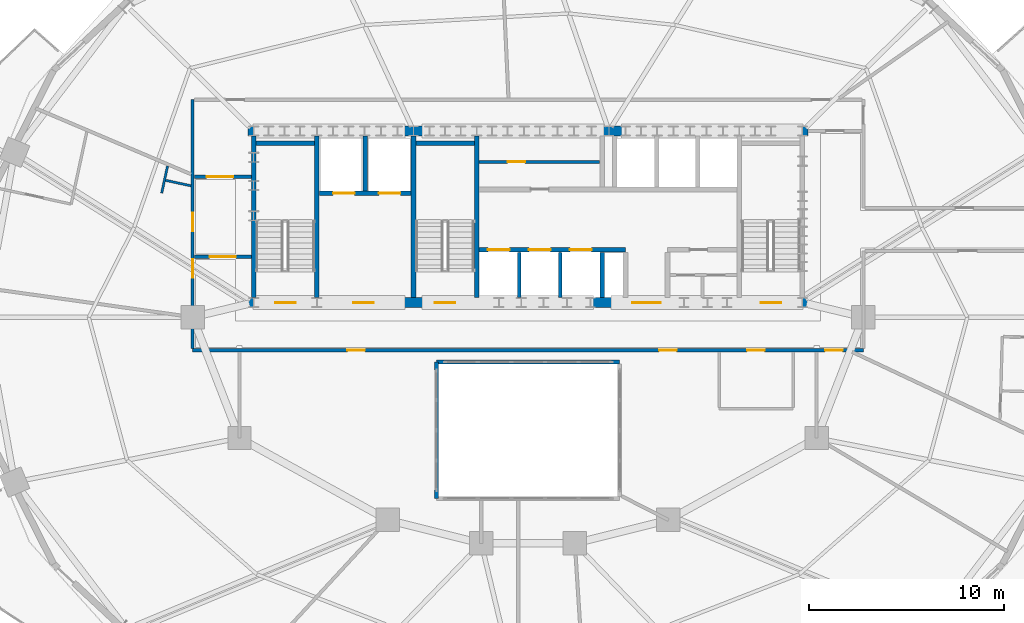
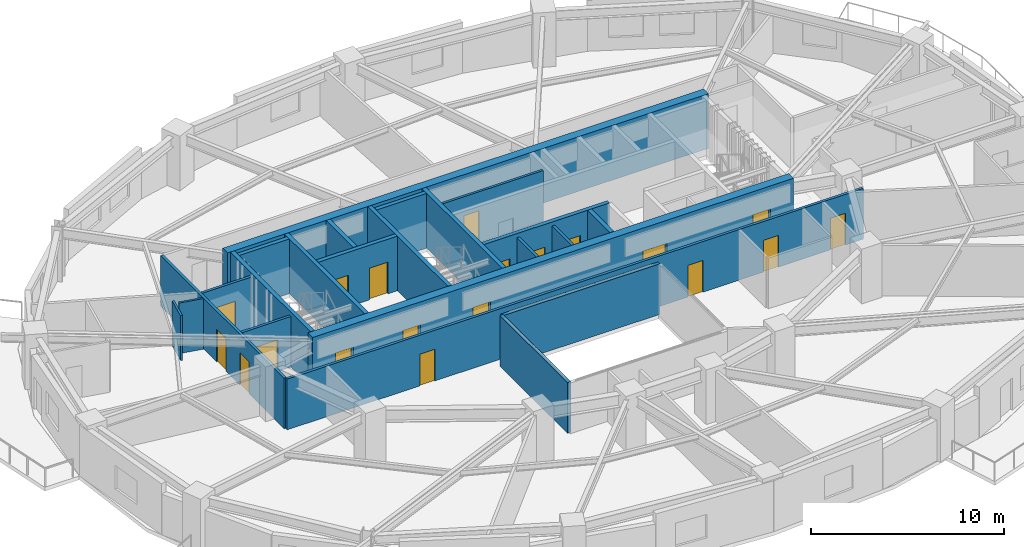
# One storey, part 7 of 13: 23 walls, 19 doors, 19 openings.
"""IFC4 building model written with IfcOpenShell, lengths in metres."""

import ifcopenshell
import ifcopenshell.guid

model = None  # the IFC model being written
_history = None  # IfcOwnerHistory: only IFC2X3 demands one
_inside = {}  # id of a spatial element -> (the spatial element, [elements in it])
_under = {}  # id of a project, library or spatial element -> (it, [spatial elements below it])
_declared = {}  # id of a project -> (the project, [libraries it declares])
_typed = {}  # id of a type object -> (the type object, [elements of that type])
_made_of = {}  # id of a material, layer set ... -> (it, [elements and type objects made of it])


def new_model(schema):
    """Start an empty IFC model of exactly this schema.

    Asked for "IFC4X3", IfcOpenShell would pick the latest addendum, in which some entities
    have other attributes; the version numbers below select the first issue.
    IFC2X3 requires an IfcOwnerHistory on every rooted entity: one is made here for all.
    """
    global model, _history
    if schema == "IFC4X3":
        model = ifcopenshell.file(schema_version=(4, 3, 0, 0))
    else:
        model = ifcopenshell.file(schema=schema)
    _inside.clear()
    _under.clear()
    _declared.clear()
    _typed.clear()
    _made_of.clear()
    _history = None
    if model.schema == "IFC2X3":
        org = make("IfcOrganization", Name="unknown")
        user = make(
            "IfcPersonAndOrganization",
            ThePerson=make("IfcPerson", FamilyName="unknown"),
            TheOrganization=org,
        )
        app = make(
            "IfcApplication",
            ApplicationDeveloper=org,
            Version="unknown",
            ApplicationFullName="unknown",
            ApplicationIdentifier="unknown",
        )
        _history = make(
            "IfcOwnerHistory",
            OwningUser=user,
            OwningApplication=app,
            ChangeAction="ADDED",
            CreationDate=0,
        )
    return model


def make(cls, **values):
    """One entity of the class cls with the attributes given. An attribute that is None is left unset."""
    return model.create_entity(
        cls, **{name: value for name, value in values.items() if value is not None}
    )


def rooted(cls, **values):
    """An entity with a GlobalId (a new one), such as an element, a storey or a relation."""
    return make(cls, GlobalId=ifcopenshell.guid.new(), OwnerHistory=_history, **values)


def si_unit(unit_type, name, prefix=None):
    """IfcSIUnit, for example si_unit("LENGTHUNIT", "METRE", prefix="MILLI")."""
    return make("IfcSIUnit", UnitType=unit_type, Prefix=prefix, Name=name)


def assignment(units):
    """IfcUnitAssignment: the units of a project."""
    return None if units is None else make("IfcUnitAssignment", Units=units)


def point(xyz):
    """IfcCartesianPoint."""
    return None if xyz is None else make("IfcCartesianPoint", Coordinates=xyz)


def direction(xyz):
    """IfcDirection."""
    return None if xyz is None else make("IfcDirection", DirectionRatios=xyz)


def frame(location, z_axis=None, x_axis=None):
    """IfcAxis2Placement3D, a coordinate frame: its origin and axes. An axis left out is left unset."""
    return make(
        "IfcAxis2Placement3D",
        Location=point(location),
        Axis=direction(z_axis),
        RefDirection=direction(x_axis),
    )


def frame_2d(location, x_axis=None):
    """IfcAxis2Placement2D, a coordinate frame in the plane: its origin and x axis."""
    return make(
        "IfcAxis2Placement2D", Location=point(location), RefDirection=direction(x_axis)
    )


def origin():
    """The frame at (0, 0, 0) with its axes left unset."""
    return frame((0.0, 0.0, 0.0))


def place(relative_to, where):
    """IfcLocalPlacement: puts the frame where relative to a parent placement (None: the world)."""
    return make(
        "IfcLocalPlacement", PlacementRelTo=relative_to, RelativePlacement=where
    )


def context(
    kind, dimensions, precision=None, world=None, true_north=None, identifier=None
):
    """IfcGeometricRepresentationContext, for example the 3D "Model" context."""
    return make(
        "IfcGeometricRepresentationContext",
        ContextIdentifier=identifier,
        ContextType=kind,
        CoordinateSpaceDimension=dimensions,
        Precision=precision,
        WorldCoordinateSystem=world,
        TrueNorth=true_north,
    )


def subcontext(parent, identifier, kind, view, scale=None):
    """IfcGeometricRepresentationSubContext, for example "Body" below "Model"."""
    return make(
        "IfcGeometricRepresentationSubContext",
        ContextIdentifier=identifier,
        ContextType=kind,
        ParentContext=parent,
        TargetScale=scale,
        TargetView=view,
    )


def project(units=None, contexts=None):
    """IfcProject with its units and contexts."""
    return rooted(
        "IfcProject",
        Name="project",
        RepresentationContexts=contexts,
        UnitsInContext=assignment(units),
    )


def spatial(cls, under=None, at=None, **own):
    """A site, building, storey or space (cls), placed at a placement, below another one or the project."""
    s = rooted(cls, ObjectPlacement=at, **own)
    if under is not None:
        _under.setdefault(under.id(), (under, []))[1].append(s)
    return s


def profile(cls, at=None, kind="AREA", **sizes):
    """A parametric profile (cls). Its sizes go by their IFC names, for example OverallWidth=200.0."""
    return make(cls, ProfileType=kind, Position=at, **sizes)


def rectangle(**sizes):
    """IfcRectangleProfileDef."""
    return profile("IfcRectangleProfileDef", **sizes)


def extrude(swept, where, along, depth):
    """IfcExtrudedAreaSolid: the profile swept, set in the frame where, extruded along a direction by depth."""
    return make(
        "IfcExtrudedAreaSolid",
        SweptArea=swept,
        Position=where,
        ExtrudedDirection=direction(along),
        Depth=depth,
    )


def shape(context_of_items, identifier, shape_type, items):
    """IfcShapeRepresentation: the items that make up one representation, for example the "Body"."""
    return make(
        "IfcShapeRepresentation",
        ContextOfItems=context_of_items,
        RepresentationIdentifier=identifier,
        RepresentationType=shape_type,
        Items=items,
    )


def material(Name=None, Category=None):
    """IfcMaterial."""
    return make("IfcMaterial", Name=Name, Category=Category)


def layer(
    of_material, thickness, ventilated=None, Name=None, Category=None, Priority=None
):
    """IfcMaterialLayer: one layer of a wall or slab, of a material (None: an air gap)."""
    return make(
        "IfcMaterialLayer",
        Material=of_material,
        LayerThickness=thickness,
        IsVentilated=ventilated,
        Name=Name,
        Category=Category,
        Priority=Priority,
    )


def layer_set(layers, Name=None):
    """IfcMaterialLayerSet."""
    return make("IfcMaterialLayerSet", MaterialLayers=layers, LayerSetName=Name)


def made_of(thing, what):
    """Note that an element or type object is made of a material, layer set ...; save() writes the relation."""
    if what is not None:
        _made_of.setdefault(what.id(), (what, []))[1].append(thing)
    return thing


def type_object(cls, material=None, **own):
    """A type object (cls), such as IfcWallType, which elements share."""
    return made_of(rooted(cls, **own), material)


def element(
    cls,
    number,
    at=None,
    inside=None,
    cuts=None,
    type_object=None,
    material=None,
    context=None,
    identifier="Body",
    shape_type=None,
    held_by="IfcProductDefinitionShape",
    body=None,
    shapes=None,
    **own,
):
    """One element of the class cls, such as IfcWall. Its Tag is "e" and its number.

    at: its placement. inside: the storey or other place that contains it. cuts: it is an
    opening in that element (IfcRelVoidsElement). A single representation is given by context,
    identifier, shape_type and body (its items); several are given by shapes. held_by: the class
    of the entity that holds the representations. save() writes the other relations.
    """
    e = rooted(cls, Tag="e%d" % number, ObjectPlacement=at, **own)
    if body is not None:
        shapes = [shape(context, identifier, shape_type, body)]
    if shapes is not None:
        e.Representation = make(held_by, Representations=shapes)
    if inside is not None:
        _inside.setdefault(inside.id(), (inside, []))[1].append(e)
    if cuts is not None:
        rooted(
            "IfcRelVoidsElement", RelatingBuildingElement=cuts, RelatedOpeningElement=e
        )
    if type_object is not None:
        _typed.setdefault(type_object.id(), (type_object, []))[1].append(e)
    return made_of(e, material)


def fill(opening, filler):
    """IfcRelFillsElement: the door or window that sits in an opening."""
    return rooted(
        "IfcRelFillsElement",
        RelatingOpeningElement=opening,
        RelatedBuildingElement=filler,
    )


def aggregate(whole, parts):
    """IfcRelAggregates: a whole, such as a stair, and the parts it consists of."""
    return rooted("IfcRelAggregates", RelatingObject=whole, RelatedObjects=parts)


def save(model, path):
    """Write the relations noted so far, then the file.

    IfcRelAggregates (storeys below a building ...), IfcRelContainedInSpatialStructure (elements
    in a storey), IfcRelDefinesByType, IfcRelAssociatesMaterial and IfcRelDeclares: one each for
    every whole, place, type object, material and project.
    """
    for whole, parts in _under.values():
        aggregate(whole, parts)
    for where, things in _inside.values():
        rooted(
            "IfcRelContainedInSpatialStructure",
            RelatedElements=things,
            RelatingStructure=where,
        )
    for kind, things in _typed.values():
        rooted("IfcRelDefinesByType", RelatedObjects=things, RelatingType=kind)
    for what, things in _made_of.values():
        rooted("IfcRelAssociatesMaterial", RelatedObjects=things, RelatingMaterial=what)
    for by, libraries in _declared.values():
        rooted("IfcRelDeclares", RelatingContext=by, RelatedDefinitions=libraries)
    model.write(path)


model = new_model("IFC4")

# Units and contexts
model_context = context("Model", 3, precision=1e-05, world=origin(), true_north=direction((0.0, 1.0)))
body_context = subcontext(model_context, "Body", "Model", "MODEL_VIEW")
ifc_project = project(units=[si_unit("LENGTHUNIT", "METRE"), si_unit("AREAUNIT", "SQUARE_METRE"), si_unit("VOLUMEUNIT", "CUBIC_METRE"), si_unit("PLANEANGLEUNIT", "RADIAN"), si_unit("MASSUNIT", "GRAM", prefix="KILO")], contexts=[model_context])

# Site, building, storey
site_placement = place(None, origin())
site = spatial("IfcSite", under=ifc_project, at=site_placement, CompositionType="ELEMENT")
building_placement = place(site_placement, origin())
building = spatial("IfcBuilding", under=site, at=building_placement, Name="Haldorwick Loom Tower", CompositionType="ELEMENT")
storey_placement = place(building_placement, frame((0.0, 0.0, 124.25)))
storey = spatial("IfcBuildingStorey", under=building, at=storey_placement, Name="L33", CompositionType="ELEMENT", Elevation=124.25)

# Wall, openings, doors
ifc_material_1 = material(Name="Fire-Rated Type X Gypsum Stud Assembly EI 60")
ifc_layer_1 = layer(ifc_material_1, 0.159912109375, Name="Fire-Rated Type X Gypsum Stud Assembly EI 60")
ifc_layer_set_1 = layer_set([ifc_layer_1], Name="Fire-Rated Type X Gypsum Stud Assembly EI 60")
wall_type_1 = type_object("IfcWallType", Name="ARC-WL-FIRE160", PredefinedType="PARTITIONING", material=ifc_layer_set_1)
wall_1_placement = place(storey_placement, frame((18.800048828125, 24.300048828125, 0.0), z_axis=(0.0, 0.0, 1.0), x_axis=(1.0, 0.0, 0.0)))
wall_1 = element("IfcWall", 1, at=wall_1_placement, inside=storey, type_object=wall_type_1, Name="L33 Residential Fire Partition L33-CR-SP", PredefinedType="PARTITIONING", context=body_context, shape_type="SweptSolid", body=[
    extrude(rectangle(XDim=34.39990234375, YDim=0.159912109375, at=frame_2d((17.199951171875, 0.0))), origin(), (0.0, 0.0, 1.0), 3.195068359375),
])
opening_1_placement = place(wall_1_placement, frame((7.929443359375, 0.0, 0.0)))
opening_1 = element("IfcOpeningElement", 2, at=opening_1_placement, cuts=wall_1, Name="Opening D-FD60A", PredefinedType="OPENING", context=body_context, shape_type="SweptSolid", body=[
    extrude(rectangle(XDim=0.89990234375, YDim=2.0, at=frame_2d((0.449951171875, 1.0))), frame((0.0, 0.08984375, 0.0), z_axis=(0.0, -1.0, 0.0), x_axis=(1.0, 0.0, 0.0)), (0.0, 0.0, 1.0), 0.179931640625),
])
opening_2_placement = place(wall_1_placement, frame((23.916748046875, 0.0, 0.0)))
opening_2 = element("IfcOpeningElement", 3, at=opening_2_placement, cuts=wall_1, Name="Opening D-FD60A", PredefinedType="OPENING", context=body_context, shape_type="SweptSolid", body=[
    extrude(rectangle(XDim=0.89990234375, YDim=2.0, at=frame_2d((0.449951171875, 1.0))), frame((0.0, 0.08984375, 0.0), z_axis=(0.0, -1.0, 0.0), x_axis=(1.0, 0.0, 0.0)), (0.0, 0.0, 1.0), 0.179931640625),
])
opening_3_placement = place(wall_1_placement, frame((28.437255859375, 0.0, 0.0)))
opening_3 = element("IfcOpeningElement", 4, at=opening_3_placement, cuts=wall_1, Name="Opening D-FD60A", PredefinedType="OPENING", context=body_context, shape_type="SweptSolid", body=[
    extrude(rectangle(XDim=0.89990234375, YDim=2.0, at=frame_2d((0.449951171875, 1.0))), frame((0.0, 0.08984375, 0.0), z_axis=(0.0, -1.0, 0.0), x_axis=(1.0, 0.0, 0.0)), (0.0, 0.0, 1.0), 0.179931640625),
])
opening_4_placement = place(wall_1_placement, frame((32.436767578125, 0.0, 0.0)))
opening_4 = element("IfcOpeningElement", 5, at=opening_4_placement, cuts=wall_1, Name="Opening D-FD60A", PredefinedType="OPENING", context=body_context, shape_type="SweptSolid", body=[
    extrude(rectangle(XDim=0.89990234375, YDim=2.0, at=frame_2d((0.449951171875, 1.0))), frame((0.0, 0.08984375, 0.0), z_axis=(0.0, -1.0, 0.0), x_axis=(1.0, 0.0, 0.0)), (0.0, 0.0, 1.0), 0.179931640625),
])
ifc_material_2 = material(Name="Hollow Steel Fire Door Assembly", Category="steel")
door_type_1 = type_object("IfcDoorType", Name="ARC-DR-FD60-90", OperationType="NOTDEFINED", PredefinedType="DOOR", material=ifc_material_2)
door_1_placement = place(opening_1_placement, origin())
door_1 = element("IfcDoor", 6, at=door_1_placement, inside=storey, type_object=door_type_1, Name="L33 L33 Central Residential Corridor to Community Library Hall 2 Door", OperationType="SINGLE_SWING_RIGHT", OverallHeight=2.0, OverallWidth=0.89990234375, PredefinedType="DOOR", context=body_context, shape_type="SweptSolid", body=[
    extrude(rectangle(XDim=0.89990234375, YDim=2.0, at=frame_2d((0.449951171875, 1.0))), frame((0.0, 0.02490234375, 0.0), z_axis=(0.0, -1.0, 0.0), x_axis=(1.0, 0.0, 0.0)), (0.0, 0.0, 1.0), 0.050048828125),
])
fill(opening_1, door_1)
door_2_placement = place(opening_2_placement, origin())
door_2 = element("IfcDoor", 7, at=door_2_placement, inside=storey, type_object=door_type_1, Name="L33 L33 Central Residential Corridor to Community Library Hall 1 Door", OperationType="SINGLE_SWING_RIGHT", OverallHeight=2.0, OverallWidth=0.89990234375, PredefinedType="DOOR", context=body_context, shape_type="SweptSolid", body=[
    extrude(rectangle(XDim=0.89990234375, YDim=2.0, at=frame_2d((0.449951171875, 1.0))), frame((0.0, 0.02490234375, 0.0), z_axis=(0.0, -1.0, 0.0), x_axis=(1.0, 0.0, 0.0)), (0.0, 0.0, 1.0), 0.050048828125),
])
fill(opening_2, door_2)
door_3_placement = place(opening_3_placement, origin())
door_3 = element("IfcDoor", 8, at=door_3_placement, inside=storey, type_object=door_type_1, Name="L33 L33 Central Residential Corridor to Common Accessible WC Door", OperationType="SINGLE_SWING_RIGHT", OverallHeight=2.0, OverallWidth=0.89990234375, PredefinedType="DOOR", context=body_context, shape_type="SweptSolid", body=[
    extrude(rectangle(XDim=0.89990234375, YDim=2.0, at=frame_2d((0.449951171875, 1.0))), frame((0.0, 0.02490234375, 0.0), z_axis=(0.0, -1.0, 0.0), x_axis=(1.0, 0.0, 0.0)), (0.0, 0.0, 1.0), 0.050048828125),
])
fill(opening_3, door_3)
door_4_placement = place(opening_4_placement, origin())
door_4 = element("IfcDoor", 9, at=door_4_placement, inside=storey, type_object=door_type_1, Name="L33 L33 Central Residential Corridor to Tenant Meeting Room 1 Door", OperationType="SINGLE_SWING_RIGHT", OverallHeight=2.0, OverallWidth=0.89990234375, PredefinedType="DOOR", context=body_context, shape_type="SweptSolid", body=[
    extrude(rectangle(XDim=0.89990234375, YDim=2.0, at=frame_2d((0.449951171875, 1.0))), frame((0.0, 0.02490234375, 0.0), z_axis=(0.0, -1.0, 0.0), x_axis=(1.0, 0.0, 0.0)), (0.0, 0.0, 1.0), 0.050048828125),
])
fill(opening_4, door_4)

wall_2_placement = place(storey_placement, frame((18.800048828125, 24.383056640625, 0.0), z_axis=(0.0, 0.0, 1.0), x_axis=(0.0, 1.0, 0.0)))
wall_2 = element("IfcWall", 10, at=wall_2_placement, inside=storey, type_object=wall_type_1, Name="L33 Residential Fire Partition L33-CR-W0", PredefinedType="PARTITIONING", context=body_context, shape_type="SweptSolid", body=[
    extrude(rectangle(XDim=12.766845703125, YDim=0.159912109375, at=frame_2d((6.38330078125, 0.0))), origin(), (0.0, 0.0, 1.0), 3.195068359375),
])
opening_5_placement = place(wall_2_placement, frame((6.0185546875, 0.0, 0.0)))
opening_5 = element("IfcOpeningElement", 11, at=opening_5_placement, cuts=wall_2, Name="Opening D-FL95", PredefinedType="OPENING", context=body_context, shape_type="SweptSolid", body=[
    extrude(rectangle(XDim=0.949951171875, YDim=2.0400390625, at=frame_2d((0.47509765625, 1.02001953125))), frame((0.0, 0.08984375, 0.0), z_axis=(0.0, -1.0, 0.0), x_axis=(1.0, 0.0, 0.0)), (0.0, 0.0, 1.0), 0.179931640625),
])
opening_6_placement = place(wall_2_placement, frame((3.63232421875, 0.0, 0.0)))
opening_6 = element("IfcOpeningElement", 12, at=opening_6_placement, cuts=wall_2, Name="Opening D-FL95", PredefinedType="OPENING", context=body_context, shape_type="SweptSolid", body=[
    extrude(rectangle(XDim=0.949951171875, YDim=2.0400390625, at=frame_2d((0.47509765625, 1.02001953125))), frame((0.0, 0.08984375, 0.0), z_axis=(0.0, -1.0, 0.0), x_axis=(1.0, 0.0, 0.0)), (0.0, 0.0, 1.0), 0.179931640625),
])
ifc_material_3 = material(Name="Solid Core Birch Architectural Door")
door_type_2 = type_object("IfcDoorType", Name="ARC-DR-FLAT95", OperationType="NOTDEFINED", PredefinedType="DOOR", material=ifc_material_3)
door_5_placement = place(opening_5_placement, frame((0.949951171875, 0.0, 0.0), z_axis=(0.0, 0.0, 1.0), x_axis=(-1.0, 0.0, 0.0)))
door_5 = element("IfcDoor", 13, at=door_5_placement, inside=storey, type_object=door_type_2, Name="L33 Unit 33B Kitchen and Studio Living Room to L33 West Residential Corr", OperationType="SINGLE_SWING_RIGHT", OverallHeight=2.0400390625, OverallWidth=0.949951171875, PredefinedType="DOOR", context=body_context, shape_type="SweptSolid", body=[
    extrude(rectangle(XDim=0.949951171875, YDim=2.0400390625, at=frame_2d((0.47509765625, 1.02001953125))), frame((0.0, 0.02490234375, 0.0), z_axis=(0.0, -1.0, 0.0), x_axis=(1.0, 0.0, 0.0)), (0.0, 0.0, 1.0), 0.050048828125),
])
fill(opening_5, door_5)
door_6_placement = place(opening_6_placement, frame((0.949951171875, 0.0, 0.0), z_axis=(0.0, 0.0, 1.0), x_axis=(-1.0, 0.0, 0.0)))
door_6 = element("IfcDoor", 14, at=door_6_placement, inside=storey, type_object=door_type_2, Name="L33 Unit 33B Kitchen and Studio Living Room to L33 Central Residential C", OperationType="SINGLE_SWING_LEFT", OverallHeight=2.0400390625, OverallWidth=0.949951171875, PredefinedType="DOOR", context=body_context, shape_type="SweptSolid", body=[
    extrude(rectangle(XDim=0.949951171875, YDim=2.0400390625, at=frame_2d((0.47509765625, 1.02001953125))), frame((0.0, 0.02490234375, 0.0), z_axis=(0.0, -1.0, 0.0), x_axis=(1.0, 0.0, 0.0)), (0.0, 0.0, 1.0), 0.050048828125),
])
fill(opening_6, door_6)

# Wall, opening, door
wall_3_placement = place(storey_placement, frame((18.883056640625, 29.10009765625, 0.0), z_axis=(0.0, 0.0, 1.0), x_axis=(1.0, 0.0, 0.0)))
wall_3 = element("IfcWall", 15, at=wall_3_placement, inside=storey, type_object=wall_type_1, Name="L33 Residential Fire Partition L33-CR-WSJ", PredefinedType="PARTITIONING", context=body_context, shape_type="SweptSolid", body=[
    extrude(rectangle(XDim=2.923828125, YDim=0.159912109375, at=frame_2d((1.4619140625, 0.0))), origin(), (0.0, 0.0, 1.0), 3.195068359375),
])
opening_7_placement = place(wall_3_placement, frame((0.787109375, 0.0, 0.0)))
opening_7 = element("IfcOpeningElement", 16, at=opening_7_placement, cuts=wall_3, Name="Opening D-CR15", PredefinedType="OPENING", context=body_context, shape_type="SweptSolid", body=[
    extrude(rectangle(XDim=1.35009765625, YDim=2.0, at=frame_2d((0.675048828125, 1.0))), frame((0.0, 0.08984375, 0.0), z_axis=(0.0, -1.0, 0.0), x_axis=(1.0, 0.0, 0.0)), (0.0, 0.0, 1.0), 0.179931640625),
])
ifc_material_4 = material(Name="Thermally Broken Anodized Aluminium and Tempered Glass", Category="aluminium")
door_type_3 = type_object("IfcDoorType", Name="ARC-DR-COR150", OperationType="NOTDEFINED", PredefinedType="DOOR", material=ifc_material_4)
door_7_placement = place(opening_7_placement, origin())
door_7 = element("IfcDoor", 17, at=door_7_placement, inside=storey, type_object=door_type_3, Name="L33 L33 West Residential Corridor to L33 Central Residential Corridor Do", OperationType="DOUBLE_DOOR_SINGLE_SWING", OverallHeight=2.0, OverallWidth=1.35009765625, PredefinedType="DOOR", context=body_context, shape_type="SweptSolid", body=[
    extrude(rectangle(XDim=1.35009765625, YDim=2.0, at=frame_2d((0.675048828125, 1.0))), frame((0.0, 0.02490234375, 0.0), z_axis=(0.0, -1.0, 0.0), x_axis=(1.0, 0.0, 0.0)), (0.0, 0.0, 1.0), 0.050048828125),
])
fill(opening_7, door_7)

wall_4_placement = place(storey_placement, frame((18.883056640625, 33.199951171875, 0.0), z_axis=(0.0, 0.0, 1.0), x_axis=(1.0, 0.0, 0.0)))
wall_4 = element("IfcWall", 18, at=wall_4_placement, inside=storey, type_object=wall_type_1, Name="L33 Residential Fire Partition L33-CR-WNJ", PredefinedType="PARTITIONING", context=body_context, shape_type="SweptSolid", body=[
    extrude(rectangle(XDim=2.923828125, YDim=0.159912109375, at=frame_2d((1.4619140625, 0.0))), origin(), (0.0, 0.0, 1.0), 3.195068359375),
])
opening_8_placement = place(wall_4_placement, frame((0.637939453125, 0.0, 0.0)))
opening_8 = element("IfcOpeningElement", 19, at=opening_8_placement, cuts=wall_4, Name="Opening D-CR15", PredefinedType="OPENING", context=body_context, shape_type="SweptSolid", body=[
    extrude(rectangle(XDim=1.35009765625, YDim=2.0, at=frame_2d((0.675048828125, 1.0))), frame((0.0, 0.08984375, 0.0), z_axis=(0.0, -1.0, 0.0), x_axis=(1.0, 0.0, 0.0)), (0.0, 0.0, 1.0), 0.179931640625),
])
door_8_placement = place(opening_8_placement, origin())
door_8 = element("IfcDoor", 20, at=door_8_placement, inside=storey, type_object=door_type_3, Name="L33 L33 North Residential Corridor to L33 West Residential Corridor Door", OperationType="DOUBLE_DOOR_SINGLE_SWING", OverallHeight=2.0, OverallWidth=1.35009765625, PredefinedType="DOOR", context=body_context, shape_type="SweptSolid", body=[
    extrude(rectangle(XDim=1.35009765625, YDim=2.0, at=frame_2d((0.675048828125, 1.0))), frame((0.0, 0.02490234375, 0.0), z_axis=(0.0, -1.0, 0.0), x_axis=(1.0, 0.0, 0.0)), (0.0, 0.0, 1.0), 0.050048828125),
])
fill(opening_8, door_8)

# Walls
ifc_material_5 = material(Name="Fire-Rated Type X Gypsum Stud Assembly EI 120")
ifc_layer_2 = layer(ifc_material_5, 0.199951171875, Name="Fire-Rated Type X Gypsum Stud Assembly EI 120")
ifc_layer_set_2 = layer_set([ifc_layer_2], Name="Fire-Rated Type X Gypsum Stud Assembly EI 120")
wall_type_2 = type_object("IfcWallType", Name="ARC-WL-FIRE200", PredefinedType="PARTITIONING", material=ifc_layer_set_2)
wall_5_placement = place(storey_placement, frame((31.300048828125, 23.699951171875, 0.0), z_axis=(0.0, 0.0, 1.0), x_axis=(1.0, 0.0, 0.0)))
element("IfcWall", 21, at=wall_5_placement, inside=storey, type_object=wall_type_2, Name="L33 Atrium Fire Enclosure Wall N", PredefinedType="PARTITIONING", context=body_context, shape_type="SweptSolid", body=[
    extrude(rectangle(XDim=9.39990234375, YDim=0.199951171875, at=frame_2d((4.699951171875, 0.0))), origin(), (0.0, 0.0, 1.0), 3.195068359375),
])
wall_6_placement = place(storey_placement, frame((31.300048828125, 16.699951171875, 0.0), z_axis=(0.0, 0.0, 1.0), x_axis=(0.0, 1.0, 0.0)))
element("IfcWall", 22, at=wall_6_placement, inside=storey, type_object=wall_type_2, Name="L33 Atrium Fire Enclosure Wall W", PredefinedType="PARTITIONING", context=body_context, shape_type="SweptSolid", body=[
    extrude(rectangle(XDim=7.0, YDim=0.199951171875, at=frame_2d((3.5, 0.0))), origin(), (0.0, 0.0, 1.0), 3.195068359375),
])
ifc_material_6 = material(Name="Acoustic Gypsum Stud Assembly STC 55")
ifc_layer_3 = layer(ifc_material_6, 0.1201171875, Name="Acoustic Gypsum Stud Assembly STC 55")
ifc_layer_set_3 = layer_set([ifc_layer_3], Name="Acoustic Gypsum Stud Assembly STC 55")
wall_type_3 = type_object("IfcWallType", Name="ARC-WL-PART120", PredefinedType="PARTITIONING", material=ifc_layer_set_3)
wall_7_placement = place(storey_placement, frame((17.51220703125, 33.750732421875, 0.0), z_axis=(0.0, 0.0, 1.0), x_axis=(-0.21129277594, -0.977422816818, 0.0)))
element("IfcWall", 23, at=wall_7_placement, inside=storey, type_object=wall_type_3, Name="L33 Unit 33B Interior Partition", PredefinedType="PARTITIONING", context=body_context, shape_type="SweptSolid", body=[
    extrude(rectangle(XDim=1.417724609375, YDim=0.1201171875, at=frame_2d((0.708984375, 0.0))), origin(), (0.0, 0.0, 1.0), 2.826904296875),
])
wall_8_placement = place(storey_placement, frame((18.717041015625, 32.735107421875, 0.0), z_axis=(0.0, 0.0, 1.0), x_axis=(-0.977432620784, 0.211247418512, 0.0)))
element("IfcWall", 24, at=wall_8_placement, inside=storey, type_object=wall_type_3, Name="L33 Unit 33B Interior Partition", PredefinedType="PARTITIONING", context=body_context, shape_type="SweptSolid", body=[
    extrude(rectangle(XDim=1.3291015625, YDim=0.1201171875, at=frame_2d((0.66455078125, 0.0))), origin(), (0.0, 0.0, 1.0), 3.195068359375),
])

# Wall, opening, door
ifc_layer_4 = layer(ifc_material_1, 0.139892578125, Name="Fire-Rated Type X Gypsum Stud Assembly EI 60")
ifc_layer_set_4 = layer_set([ifc_layer_4], Name="Fire-Rated Type X Gypsum Stud Assembly EI 60")
wall_type_4 = type_object("IfcWallType", Name="ARC-WL-PART140", PredefinedType="PARTITIONING", material=ifc_layer_set_4)
wall_9_placement = place(storey_placement, frame((33.492919921875, 33.9599609375, 0.0), z_axis=(0.0, 0.0, 1.0), x_axis=(1.0, 0.0, 0.0)))
wall_9 = element("IfcWall", 25, at=wall_9_placement, inside=storey, type_object=wall_type_4, Name="L33 Alcove Partition", PredefinedType="PARTITIONING", context=body_context, shape_type="SweptSolid", body=[
    extrude(rectangle(XDim=6.18408203125, YDim=0.139892578125, at=frame_2d((3.092041015625, 0.0))), origin(), (0.0, 0.0, 1.0), 3.195068359375),
])
opening_9_placement = place(wall_9_placement, frame((1.45703125, 0.0, 0.0)))
opening_9 = element("IfcOpeningElement", 26, at=opening_9_placement, cuts=wall_9, Name="Opening D-FD60A", PredefinedType="OPENING", context=body_context, shape_type="SweptSolid", body=[
    extrude(rectangle(XDim=0.89990234375, YDim=2.0, at=frame_2d((0.449951171875, 1.0))), frame((0.0, 0.079833984375, 0.0), z_axis=(0.0, -1.0, 0.0), x_axis=(1.0, 0.0, 0.0)), (0.0, 0.0, 1.0), 0.159912109375),
])
door_9_placement = place(opening_9_placement, frame((0.89990234375, 0.0, 0.0), z_axis=(0.0, 0.0, 1.0), x_axis=(-1.0, 0.0, 0.0)))
door_9 = element("IfcDoor", 27, at=door_9_placement, inside=storey, type_object=door_type_1, Name="L33 Trunk Store Door", OperationType="SINGLE_SWING_LEFT", OverallHeight=2.0, OverallWidth=0.89990234375, PredefinedType="DOOR", context=body_context, shape_type="SweptSolid", body=[
    extrude(rectangle(XDim=0.89990234375, YDim=2.0, at=frame_2d((0.449951171875, 1.0))), frame((0.0, 0.02490234375, 0.0), z_axis=(0.0, -1.0, 0.0), x_axis=(1.0, 0.0, 0.0)), (0.0, 0.0, 1.0), 0.050048828125),
])
fill(opening_9, door_9)

# Walls
ifc_layer_5 = layer(ifc_material_5, 0.1650390625, Name="Fire-Rated Type X Gypsum Stud Assembly EI 120")
ifc_layer_set_5 = layer_set([ifc_layer_5], Name="Fire-Rated Type X Gypsum Stud Assembly EI 120")
wall_type_5 = type_object("IfcWallType", Name="ARC-WL-SHAFT160", PredefinedType="MOVABLE", material=ifc_layer_set_5)
for number, where, z_axis, x_axis, name in (
    (28, (35.550048828125, 27.0029296875, 0.0), (0.0, 0.0, 1.0), (0.0, 1.0, 0.0), "L33 Mid-Rise Hoistway Divider 1"),
    (29, (37.64990234375, 27.0029296875, 0.0), (0.0, 0.0, 1.0), (0.0, 1.0, 0.0), "L33 Mid-Rise Hoistway Divider 2"),
):
    element("IfcWall", number, at=place(storey_placement, frame(where, z_axis=z_axis, x_axis=x_axis)), inside=storey, type_object=wall_type_5, Name=name, PredefinedType="MOVABLE", context=body_context, shape_type="SweptSolid", body=[
        extrude(rectangle(XDim=2.323974609375, YDim=0.159912109375, at=frame_2d((1.162109375, 0.0))), origin(), (0.0, 0.0, 1.0), 3.195068359375),
    ])

# Wall, openings, doors
ifc_material_7 = material(Name="Concrete C60 (60 MPa)", Category="concrete")
ifc_layer_6 = layer(ifc_material_7, 0.5, Name="Concrete C60 (60 MPa)", Category="concrete")
ifc_layer_set_6 = layer_set([ifc_layer_6], Name="Concrete C60 (60 MPa)")
wall_type_6 = type_object("IfcWallType", Name="STR-WL-CORE500", PredefinedType="SHEAR", material=ifc_layer_set_6)
wall_10_placement = place(storey_placement, frame((21.64990234375, 26.75, 0.0), z_axis=(0.0, 0.0, 1.0), x_axis=(1.0, 0.0, 0.0)))
wall_10 = element("IfcWall", 30, at=wall_10_placement, inside=storey, type_object=wall_type_6, Name="L33 Core Shear Wall S", PredefinedType="SHEAR", context=body_context, shape_type="SweptSolid", body=[
    extrude(rectangle(XDim=28.7001953125, YDim=0.5, at=frame_2d((14.35009765625, 0.0))), origin(), (0.0, 0.0, 1.0), 3.449951171875),
])
opening_10_placement = place(wall_10_placement, frame((1.375, 0.0, 0.0)))
opening_10 = element("IfcOpeningElement", 31, at=opening_10_placement, cuts=wall_10, Name="Opening D-FD60", PredefinedType="OPENING", context=body_context, shape_type="SweptSolid", body=[
    extrude(rectangle(XDim=1.050048828125, YDim=2.0, at=frame_2d((0.52490234375, 1.0))), frame((0.0, 0.260009765625, 0.0), z_axis=(0.0, -1.0, 0.0), x_axis=(1.0, 0.0, 0.0)), (0.0, 0.0, 1.0), 0.52001953125),
])
opening_11_placement = place(wall_10_placement, frame((5.375, 0.0, 0.0)))
opening_11 = element("IfcOpeningElement", 32, at=opening_11_placement, cuts=wall_10, Name="Opening D-FD60", PredefinedType="OPENING", context=body_context, shape_type="SweptSolid", body=[
    extrude(rectangle(XDim=1.050048828125, YDim=2.0, at=frame_2d((0.52490234375, 1.0))), frame((0.0, 0.260009765625, 0.0), z_axis=(0.0, -1.0, 0.0), x_axis=(1.0, 0.0, 0.0)), (0.0, 0.0, 1.0), 0.52001953125),
])
opening_12_placement = place(wall_10_placement, frame((9.574951171875, 0.0, 0.0)))
opening_12 = element("IfcOpeningElement", 33, at=opening_12_placement, cuts=wall_10, Name="Opening D-FD60", PredefinedType="OPENING", context=body_context, shape_type="SweptSolid", body=[
    extrude(rectangle(XDim=1.050048828125, YDim=2.0, at=frame_2d((0.52490234375, 1.0))), frame((0.0, 0.260009765625, 0.0), z_axis=(0.0, -1.0, 0.0), x_axis=(1.0, 0.0, 0.0)), (0.0, 0.0, 1.0), 0.52001953125),
])
opening_13_placement = place(wall_10_placement, frame((19.705078125, 0.0, 0.0)))
opening_13 = element("IfcOpeningElement", 34, at=opening_13_placement, cuts=wall_10, Name="Opening D-LB15", PredefinedType="OPENING", context=body_context, shape_type="SweptSolid", body=[
    extrude(rectangle(XDim=1.449951171875, YDim=2.0, at=frame_2d((0.72509765625, 1.0))), frame((0.0, 0.260009765625, 0.0), z_axis=(0.0, -1.0, 0.0), x_axis=(1.0, 0.0, 0.0)), (0.0, 0.0, 1.0), 0.52001953125),
])
opening_14_placement = place(wall_10_placement, frame((26.27490234375, 0.0, 0.0)))
opening_14 = element("IfcOpeningElement", 35, at=opening_14_placement, cuts=wall_10, Name="Opening D-FD60", PredefinedType="OPENING", context=body_context, shape_type="SweptSolid", body=[
    extrude(rectangle(XDim=1.050048828125, YDim=2.0, at=frame_2d((0.52490234375, 1.0))), frame((0.0, 0.260009765625, 0.0), z_axis=(0.0, -1.0, 0.0), x_axis=(1.0, 0.0, 0.0)), (0.0, 0.0, 1.0), 0.52001953125),
])
door_type_4 = type_object("IfcDoorType", Name="ARC-DR-FD60", OperationType="NOTDEFINED", PredefinedType="DOOR", material=ifc_material_2)
door_10_placement = place(opening_10_placement, origin())
door_10 = element("IfcDoor", 36, at=door_10_placement, inside=storey, type_object=door_type_4, Name="L33 Exit Stair ST-01 Fire Door", OperationType="SINGLE_SWING_LEFT", OverallHeight=2.0, OverallWidth=1.050048828125, PredefinedType="DOOR", context=body_context, shape_type="SweptSolid", body=[
    extrude(rectangle(XDim=1.050048828125, YDim=2.0, at=frame_2d((0.52490234375, 1.0))), frame((0.0, 0.02490234375, 0.0), z_axis=(0.0, -1.0, 0.0), x_axis=(1.0, 0.0, 0.0)), (0.0, 0.0, 1.0), 0.050048828125),
])
fill(opening_10, door_10)
door_11_placement = place(opening_11_placement, origin())
door_11 = element("IfcDoor", 37, at=door_11_placement, inside=storey, type_object=door_type_4, Name="L33 Firefighting Lift Lobby Fire Door", OperationType="SINGLE_SWING_RIGHT", OverallHeight=2.0, OverallWidth=1.050048828125, PredefinedType="DOOR", context=body_context, shape_type="SweptSolid", body=[
    extrude(rectangle(XDim=1.050048828125, YDim=2.0, at=frame_2d((0.52490234375, 1.0))), frame((0.0, 0.02490234375, 0.0), z_axis=(0.0, -1.0, 0.0), x_axis=(1.0, 0.0, 0.0)), (0.0, 0.0, 1.0), 0.050048828125),
])
fill(opening_11, door_11)
door_12_placement = place(opening_12_placement, origin())
door_12 = element("IfcDoor", 38, at=door_12_placement, inside=storey, type_object=door_type_4, Name="L33 Exit Stair ST-03 Fire Door", OperationType="SINGLE_SWING_LEFT", OverallHeight=2.0, OverallWidth=1.050048828125, PredefinedType="DOOR", context=body_context, shape_type="SweptSolid", body=[
    extrude(rectangle(XDim=1.050048828125, YDim=2.0, at=frame_2d((0.52490234375, 1.0))), frame((0.0, 0.02490234375, 0.0), z_axis=(0.0, -1.0, 0.0), x_axis=(1.0, 0.0, 0.0)), (0.0, 0.0, 1.0), 0.050048828125),
])
fill(opening_12, door_12)
door_13_placement = place(opening_14_placement, origin())
door_13 = element("IfcDoor", 39, at=door_13_placement, inside=storey, type_object=door_type_4, Name="L33 Exit Stair ST-02 Fire Door", OperationType="SINGLE_SWING_LEFT", OverallHeight=2.0, OverallWidth=1.050048828125, PredefinedType="DOOR", context=body_context, shape_type="SweptSolid", body=[
    extrude(rectangle(XDim=1.050048828125, YDim=2.0, at=frame_2d((0.52490234375, 1.0))), frame((0.0, 0.02490234375, 0.0), z_axis=(0.0, -1.0, 0.0), x_axis=(1.0, 0.0, 0.0)), (0.0, 0.0, 1.0), 0.050048828125),
])
fill(opening_14, door_13)
door_type_5 = type_object("IfcDoorType", Name="ARC-DR-LOB150", OperationType="NOTDEFINED", PredefinedType="DOOR", material=ifc_material_4)
door_14_placement = place(opening_13_placement, frame((1.449951171875, 0.0, 0.0), z_axis=(0.0, 0.0, 1.0), x_axis=(-1.0, 0.0, 0.0)))
door_14 = element("IfcDoor", 40, at=door_14_placement, inside=storey, type_object=door_type_5, Name="L33 Passenger Lift Lobby Fire Door", OperationType="DOUBLE_DOOR_SINGLE_SWING", OverallHeight=2.0, OverallWidth=1.449951171875, PredefinedType="DOOR", context=body_context, shape_type="SweptSolid", body=[
    extrude(rectangle(XDim=1.449951171875, YDim=2.0, at=frame_2d((0.72509765625, 1.0))), frame((0.0, 0.02490234375, 0.0), z_axis=(0.0, -1.0, 0.0), x_axis=(1.0, 0.0, 0.0)), (0.0, 0.0, 1.0), 0.050048828125),
])
fill(opening_13, door_14)

# Walls
wall_11_placement = place(storey_placement, frame((50.35009765625, 35.550048828125, 0.0), z_axis=(0.0, 0.0, 1.0), x_axis=(-1.0, 0.0, 0.0)))
element("IfcWall", 41, at=wall_11_placement, inside=storey, type_object=wall_type_6, Name="L33 Core Shear Wall N", PredefinedType="SHEAR", context=body_context, shape_type="SweptSolid", body=[
    extrude(rectangle(XDim=28.7001953125, YDim=0.5, at=frame_2d((14.35009765625, 0.0))), origin(), (0.0, 0.0, 1.0), 3.449951171875),
])
ifc_material_8 = material(Name="Concrete C50 (50 MPa)", Category="concrete")
ifc_layer_7 = layer(ifc_material_8, 0.239990234375, Name="Concrete C50 (50 MPa)", Category="concrete")
ifc_layer_set_7 = layer_set([ifc_layer_7], Name="Concrete C50 (50 MPa)")
wall_type_7 = type_object("IfcWallType", Name="STR-WL-SHAFT240", PredefinedType="SHEAR", material=ifc_layer_set_7)
for number, where, z_axis, x_axis, name in (
    (42, (21.929931640625, 35.297119140625, 0.0), (0.0, 0.0, 1.0), (0.0, -1.0, 0.0), "L33 Core Shear Wall W"),
    (43, (25.169921875, 27.0029296875, 0.0), (0.0, 0.0, 1.0), (0.0, 1.0, 0.0), "L33 Core Shear Wall 1"),
):
    element("IfcWall", number, at=place(storey_placement, frame(where, z_axis=z_axis, x_axis=x_axis)), inside=storey, type_object=wall_type_7, Name=name, PredefinedType="SHEAR", context=body_context, shape_type="SweptSolid", body=[
        extrude(rectangle(XDim=8.294189453125, YDim=0.239990234375, at=frame_2d((4.14697265625, 0.0))), origin(), (0.0, 0.0, 1.0), 3.449951171875),
    ])
wall_12_placement = place(storey_placement, frame((22.052978515625, 34.919921875, 0.0), z_axis=(0.0, 0.0, 1.0), x_axis=(1.0, 0.0, 0.0)))
element("IfcWall", 44, at=wall_12_placement, inside=storey, type_object=wall_type_7, Name="L33 Core Shear Wall 1N", PredefinedType="SHEAR", context=body_context, shape_type="SweptSolid", body=[
    extrude(rectangle(XDim=2.994140625, YDim=0.239990234375, at=frame_2d((1.4970703125, 0.0))), origin(), (0.0, 0.0, 1.0), 3.449951171875),
])
for number, where, z_axis, x_axis, name in (
    (45, (30.1298828125, 27.0029296875, 0.0), (0.0, 0.0, 1.0), (0.0, 1.0, 0.0), "L33 Core Shear Wall 2"),
    (46, (33.3701171875, 27.0029296875, 0.0), (0.0, 0.0, 1.0), (0.0, 1.0, 0.0), "L33 Core Shear Wall 3"),
):
    element("IfcWall", number, at=place(storey_placement, frame(where, z_axis=z_axis, x_axis=x_axis)), inside=storey, type_object=wall_type_7, Name=name, PredefinedType="SHEAR", context=body_context, shape_type="SweptSolid", body=[
        extrude(rectangle(XDim=8.294189453125, YDim=0.239990234375, at=frame_2d((4.14697265625, 0.0))), origin(), (0.0, 0.0, 1.0), 3.449951171875),
    ])
wall_13_placement = place(storey_placement, frame((30.2529296875, 34.919921875, 0.0), z_axis=(0.0, 0.0, 1.0), x_axis=(1.0, 0.0, 0.0)))
element("IfcWall", 47, at=wall_13_placement, inside=storey, type_object=wall_type_7, Name="L33 Core Shear Wall 3N", PredefinedType="SHEAR", context=body_context, shape_type="SweptSolid", body=[
    extrude(rectangle(XDim=2.994140625, YDim=0.239990234375, at=frame_2d((1.4970703125, 0.0))), origin(), (0.0, 0.0, 1.0), 3.449951171875),
])

# Wall, openings, doors
wall_14_placement = place(storey_placement, frame((25.29296875, 32.35009765625, 0.0), z_axis=(0.0, 0.0, 1.0), x_axis=(1.0, 0.0, 0.0)))
wall_14 = element("IfcWall", 48, at=wall_14_placement, inside=storey, type_object=wall_type_7, Name="L33 Core Shear Wall FF", PredefinedType="SHEAR", context=body_context, shape_type="SweptSolid", body=[
    extrude(rectangle(XDim=4.714111328125, YDim=0.239990234375, at=frame_2d((2.35693359375, 0.0))), origin(), (0.0, 0.0, 1.0), 3.449951171875),
])
opening_15_placement = place(wall_14_placement, frame((0.70703125, 0.0, 0.0)))
opening_15 = element("IfcOpeningElement", 49, at=opening_15_placement, cuts=wall_14, Name="Opening LD-FF1", PredefinedType="OPENING", context=body_context, shape_type="SweptSolid", body=[
    extrude(rectangle(XDim=1.10009765625, YDim=2.0, at=frame_2d((0.550048828125, 1.0))), frame((0.0, 0.1298828125, 0.0), z_axis=(0.0, -1.0, 0.0), x_axis=(1.0, 0.0, 0.0)), (0.0, 0.0, 1.0), 0.260009765625),
])
opening_16_placement = place(wall_14_placement, frame((3.056884765625, 0.0, 0.0)))
opening_16 = element("IfcOpeningElement", 50, at=opening_16_placement, cuts=wall_14, Name="Opening LD-FF2", PredefinedType="OPENING", context=body_context, shape_type="SweptSolid", body=[
    extrude(rectangle(XDim=1.10009765625, YDim=2.0, at=frame_2d((0.550048828125, 1.0))), frame((0.0, 0.1298828125, 0.0), z_axis=(0.0, -1.0, 0.0), x_axis=(1.0, 0.0, 0.0)), (0.0, 0.0, 1.0), 0.260009765625),
])
door_type_6 = type_object("IfcDoorType", Name="ARC-DR-LD-FF", OperationType="NOTDEFINED", PredefinedType="USERDEFINED", material=ifc_material_2)
door_15_placement = place(opening_15_placement, origin())
door_15 = element("IfcDoor", 51, at=door_15_placement, inside=storey, type_object=door_type_6, Name="L33 Lift LF-FF1 Sliding Landing Door", ObjectType="LANDING DOOR", OperationType="DOUBLE_DOOR_SLIDING", OverallHeight=2.0, OverallWidth=1.10009765625, PredefinedType="USERDEFINED", context=body_context, shape_type="SweptSolid", body=[
    extrude(rectangle(XDim=1.10009765625, YDim=2.0, at=frame_2d((0.550048828125, 1.0))), frame((0.0, 0.02490234375, 0.0), z_axis=(0.0, -1.0, 0.0), x_axis=(1.0, 0.0, 0.0)), (0.0, 0.0, 1.0), 0.050048828125),
])
fill(opening_15, door_15)
door_16_placement = place(opening_16_placement, origin())
door_16 = element("IfcDoor", 52, at=door_16_placement, inside=storey, type_object=door_type_6, Name="L33 Lift LF-FF2 Sliding Landing Door", ObjectType="LANDING DOOR", OperationType="DOUBLE_DOOR_SLIDING", OverallHeight=2.0, OverallWidth=1.10009765625, PredefinedType="USERDEFINED", context=body_context, shape_type="SweptSolid", body=[
    extrude(rectangle(XDim=1.10009765625, YDim=2.0, at=frame_2d((0.550048828125, 1.0))), frame((0.0, 0.02490234375, 0.0), z_axis=(0.0, -1.0, 0.0), x_axis=(1.0, 0.0, 0.0)), (0.0, 0.0, 1.0), 0.050048828125),
])
fill(opening_16, door_16)

# Wall
wall_15_placement = place(storey_placement, frame((27.64990234375, 32.472900390625, 0.0), z_axis=(0.0, 0.0, 1.0), x_axis=(0.0, 1.0, 0.0)))
element("IfcWall", 53, at=wall_15_placement, inside=storey, type_object=wall_type_7, Name="L33 Core Shear Wall FFD", PredefinedType="SHEAR", context=body_context, shape_type="SweptSolid", body=[
    extrude(rectangle(XDim=2.82421875, YDim=0.239990234375, at=frame_2d((1.412109375, 0.0))), origin(), (0.0, 0.0, 1.0), 3.449951171875),
])

# Wall, openings, doors
wall_16_placement = place(storey_placement, frame((33.492919921875, 29.449951171875, 0.0), z_axis=(0.0, 0.0, 1.0), x_axis=(1.0, 0.0, 0.0)))
wall_16 = element("IfcWall", 54, at=wall_16_placement, inside=storey, type_object=wall_type_7, Name="L33 Core Shear Wall LS1", PredefinedType="SHEAR", context=body_context, shape_type="SweptSolid", body=[
    extrude(rectangle(XDim=7.507080078125, YDim=0.239990234375, at=frame_2d((3.75341796875, 0.0))), origin(), (0.0, 0.0, 1.0), 3.449951171875),
])
opening_17_placement = place(wall_16_placement, frame((0.447021484375, 0.0, 0.0)))
opening_17 = element("IfcOpeningElement", 55, at=opening_17_placement, cuts=wall_16, Name="Opening LD-M1", PredefinedType="OPENING", context=body_context, shape_type="SweptSolid", body=[
    extrude(rectangle(XDim=1.1201171875, YDim=2.0, at=frame_2d((0.56005859375, 1.0))), frame((0.0, 0.1298828125, 0.0), z_axis=(0.0, -1.0, 0.0), x_axis=(1.0, 0.0, 0.0)), (0.0, 0.0, 1.0), 0.260009765625),
])
opening_18_placement = place(wall_16_placement, frame((2.547119140625, 0.0, 0.0)))
opening_18 = element("IfcOpeningElement", 56, at=opening_18_placement, cuts=wall_16, Name="Opening LD-M2", PredefinedType="OPENING", context=body_context, shape_type="SweptSolid", body=[
    extrude(rectangle(XDim=1.1201171875, YDim=2.0, at=frame_2d((0.56005859375, 1.0))), frame((0.0, 0.1298828125, 0.0), z_axis=(0.0, -1.0, 0.0), x_axis=(1.0, 0.0, 0.0)), (0.0, 0.0, 1.0), 0.260009765625),
])
opening_19_placement = place(wall_16_placement, frame((4.64697265625, 0.0, 0.0)))
opening_19 = element("IfcOpeningElement", 57, at=opening_19_placement, cuts=wall_16, Name="Opening LD-M3", PredefinedType="OPENING", context=body_context, shape_type="SweptSolid", body=[
    extrude(rectangle(XDim=1.1201171875, YDim=2.0, at=frame_2d((0.56005859375, 1.0))), frame((0.0, 0.1298828125, 0.0), z_axis=(0.0, -1.0, 0.0), x_axis=(1.0, 0.0, 0.0)), (0.0, 0.0, 1.0), 0.260009765625),
])
door_type_7 = type_object("IfcDoorType", Name="ARC-DR-LD-PAX", OperationType="NOTDEFINED", PredefinedType="USERDEFINED", material=ifc_material_2)
door_17_placement = place(opening_17_placement, origin())
door_17 = element("IfcDoor", 58, at=door_17_placement, inside=storey, type_object=door_type_7, Name="L33 Lift LF-M1 Sliding Landing Door", ObjectType="LANDING DOOR", OperationType="DOUBLE_DOOR_SLIDING", OverallHeight=2.0, OverallWidth=1.1201171875, PredefinedType="USERDEFINED", context=body_context, shape_type="SweptSolid", body=[
    extrude(rectangle(XDim=1.1201171875, YDim=2.0, at=frame_2d((0.56005859375, 1.0))), frame((0.0, 0.02490234375, 0.0), z_axis=(0.0, -1.0, 0.0), x_axis=(1.0, 0.0, 0.0)), (0.0, 0.0, 1.0), 0.050048828125),
])
fill(opening_17, door_17)
door_18_placement = place(opening_18_placement, origin())
door_18 = element("IfcDoor", 59, at=door_18_placement, inside=storey, type_object=door_type_7, Name="L33 Lift LF-M2 Sliding Landing Door", ObjectType="LANDING DOOR", OperationType="DOUBLE_DOOR_SLIDING", OverallHeight=2.0, OverallWidth=1.1201171875, PredefinedType="USERDEFINED", context=body_context, shape_type="SweptSolid", body=[
    extrude(rectangle(XDim=1.1201171875, YDim=2.0, at=frame_2d((0.56005859375, 1.0))), frame((0.0, 0.02490234375, 0.0), z_axis=(0.0, -1.0, 0.0), x_axis=(1.0, 0.0, 0.0)), (0.0, 0.0, 1.0), 0.050048828125),
])
fill(opening_18, door_18)
door_19_placement = place(opening_19_placement, origin())
door_19 = element("IfcDoor", 60, at=door_19_placement, inside=storey, type_object=door_type_7, Name="L33 Lift LF-M3 Sliding Landing Door", ObjectType="LANDING DOOR", OperationType="DOUBLE_DOOR_SLIDING", OverallHeight=2.0, OverallWidth=1.1201171875, PredefinedType="USERDEFINED", context=body_context, shape_type="SweptSolid", body=[
    extrude(rectangle(XDim=1.1201171875, YDim=2.0, at=frame_2d((0.56005859375, 1.0))), frame((0.0, 0.02490234375, 0.0), z_axis=(0.0, -1.0, 0.0), x_axis=(1.0, 0.0, 0.0)), (0.0, 0.0, 1.0), 0.050048828125),
])
fill(opening_19, door_19)

# Wall
wall_17_placement = place(storey_placement, frame((39.800048828125, 27.0029296875, 0.0), z_axis=(0.0, 0.0, 1.0), x_axis=(0.0, 1.0, 0.0)))
element("IfcWall", 61, at=wall_17_placement, inside=storey, type_object=wall_type_7, Name="L33 Core Shear Wall MRW", PredefinedType="SHEAR", context=body_context, shape_type="SweptSolid", body=[
    extrude(rectangle(XDim=2.323974609375, YDim=0.239990234375, at=frame_2d((1.162109375, 0.0))), origin(), (0.0, 0.0, 1.0), 3.449951171875),
])

save(model, "model.ifc")
